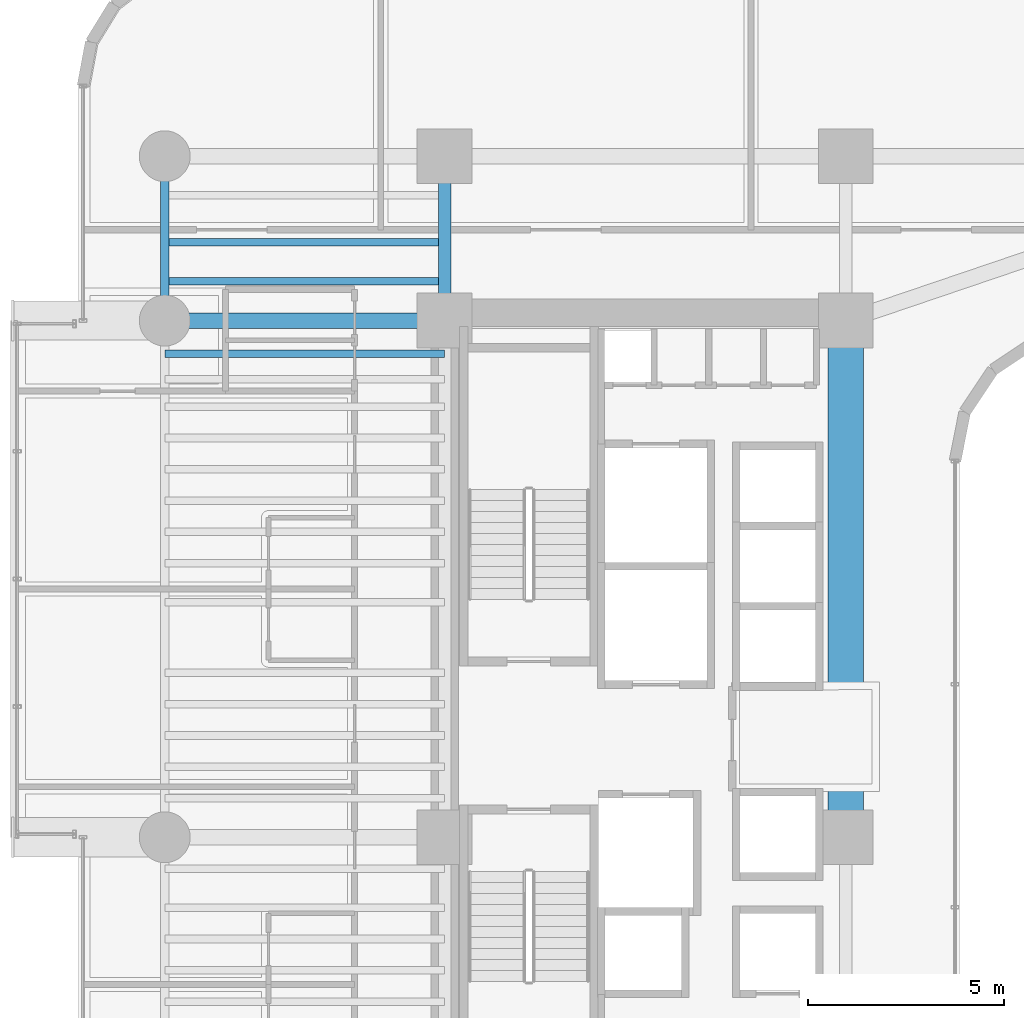
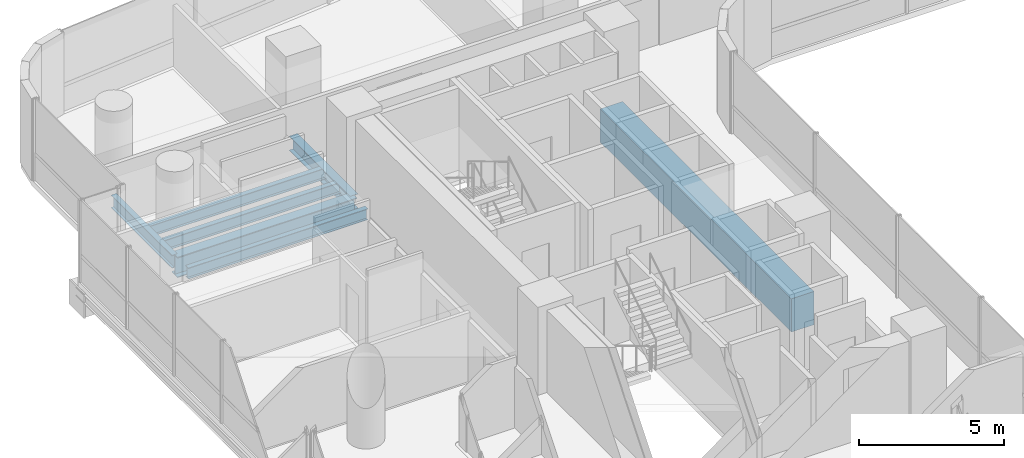
# One storey, part 9 of 39: 7 beams.
"""IFC4 building model written with IfcOpenShell, lengths in metres."""

import ifcopenshell
import ifcopenshell.guid

model = None  # the IFC model being written
_history = None  # IfcOwnerHistory: only IFC2X3 demands one
_inside = {}  # id of a spatial element -> (the spatial element, [elements in it])
_under = {}  # id of a project, library or spatial element -> (it, [spatial elements below it])
_declared = {}  # id of a project -> (the project, [libraries it declares])
_typed = {}  # id of a type object -> (the type object, [elements of that type])
_made_of = {}  # id of a material, layer set ... -> (it, [elements and type objects made of it])


def new_model(schema):
    """Start an empty IFC model of exactly this schema.

    Asked for "IFC4X3", IfcOpenShell would pick the latest addendum, in which some entities
    have other attributes; the version numbers below select the first issue.
    IFC2X3 requires an IfcOwnerHistory on every rooted entity: one is made here for all.
    """
    global model, _history
    if schema == "IFC4X3":
        model = ifcopenshell.file(schema_version=(4, 3, 0, 0))
    else:
        model = ifcopenshell.file(schema=schema)
    _inside.clear()
    _under.clear()
    _declared.clear()
    _typed.clear()
    _made_of.clear()
    _history = None
    if model.schema == "IFC2X3":
        org = make("IfcOrganization", Name="unknown")
        user = make(
            "IfcPersonAndOrganization",
            ThePerson=make("IfcPerson", FamilyName="unknown"),
            TheOrganization=org,
        )
        app = make(
            "IfcApplication",
            ApplicationDeveloper=org,
            Version="unknown",
            ApplicationFullName="unknown",
            ApplicationIdentifier="unknown",
        )
        _history = make(
            "IfcOwnerHistory",
            OwningUser=user,
            OwningApplication=app,
            ChangeAction="ADDED",
            CreationDate=0,
        )
    return model


def make(cls, **values):
    """One entity of the class cls with the attributes given. An attribute that is None is left unset."""
    return model.create_entity(
        cls, **{name: value for name, value in values.items() if value is not None}
    )


def rooted(cls, **values):
    """An entity with a GlobalId (a new one), such as an element, a storey or a relation."""
    return make(cls, GlobalId=ifcopenshell.guid.new(), OwnerHistory=_history, **values)


def si_unit(unit_type, name, prefix=None):
    """IfcSIUnit, for example si_unit("LENGTHUNIT", "METRE", prefix="MILLI")."""
    return make("IfcSIUnit", UnitType=unit_type, Prefix=prefix, Name=name)


def assignment(units):
    """IfcUnitAssignment: the units of a project."""
    return None if units is None else make("IfcUnitAssignment", Units=units)


def point(xyz):
    """IfcCartesianPoint."""
    return None if xyz is None else make("IfcCartesianPoint", Coordinates=xyz)


def direction(xyz):
    """IfcDirection."""
    return None if xyz is None else make("IfcDirection", DirectionRatios=xyz)


def frame(location, z_axis=None, x_axis=None):
    """IfcAxis2Placement3D, a coordinate frame: its origin and axes. An axis left out is left unset."""
    return make(
        "IfcAxis2Placement3D",
        Location=point(location),
        Axis=direction(z_axis),
        RefDirection=direction(x_axis),
    )


def frame_2d(location, x_axis=None):
    """IfcAxis2Placement2D, a coordinate frame in the plane: its origin and x axis."""
    return make(
        "IfcAxis2Placement2D", Location=point(location), RefDirection=direction(x_axis)
    )


def origin():
    """The frame at (0, 0, 0) with its axes left unset."""
    return frame((0.0, 0.0, 0.0))


def origin_2d():
    """The frame at (0, 0) in the plane with its x axis left unset."""
    return frame_2d((0.0, 0.0))


def place(relative_to, where):
    """IfcLocalPlacement: puts the frame where relative to a parent placement (None: the world)."""
    return make(
        "IfcLocalPlacement", PlacementRelTo=relative_to, RelativePlacement=where
    )


def context(
    kind, dimensions, precision=None, world=None, true_north=None, identifier=None
):
    """IfcGeometricRepresentationContext, for example the 3D "Model" context."""
    return make(
        "IfcGeometricRepresentationContext",
        ContextIdentifier=identifier,
        ContextType=kind,
        CoordinateSpaceDimension=dimensions,
        Precision=precision,
        WorldCoordinateSystem=world,
        TrueNorth=true_north,
    )


def subcontext(parent, identifier, kind, view, scale=None):
    """IfcGeometricRepresentationSubContext, for example "Body" below "Model"."""
    return make(
        "IfcGeometricRepresentationSubContext",
        ContextIdentifier=identifier,
        ContextType=kind,
        ParentContext=parent,
        TargetScale=scale,
        TargetView=view,
    )


def project(units=None, contexts=None):
    """IfcProject with its units and contexts."""
    return rooted(
        "IfcProject",
        Name="project",
        RepresentationContexts=contexts,
        UnitsInContext=assignment(units),
    )


def spatial(cls, under=None, at=None, **own):
    """A site, building, storey or space (cls), placed at a placement, below another one or the project."""
    s = rooted(cls, ObjectPlacement=at, **own)
    if under is not None:
        _under.setdefault(under.id(), (under, []))[1].append(s)
    return s


def profile(cls, at=None, kind="AREA", **sizes):
    """A parametric profile (cls). Its sizes go by their IFC names, for example OverallWidth=200.0."""
    return make(cls, ProfileType=kind, Position=at, **sizes)


def rectangle(**sizes):
    """IfcRectangleProfileDef."""
    return profile("IfcRectangleProfileDef", **sizes)


def i_section(**sizes):
    """IfcIShapeProfileDef."""
    return profile("IfcIShapeProfileDef", **sizes)


def extrude(swept, where, along, depth):
    """IfcExtrudedAreaSolid: the profile swept, set in the frame where, extruded along a direction by depth."""
    return make(
        "IfcExtrudedAreaSolid",
        SweptArea=swept,
        Position=where,
        ExtrudedDirection=direction(along),
        Depth=depth,
    )


def shape(context_of_items, identifier, shape_type, items):
    """IfcShapeRepresentation: the items that make up one representation, for example the "Body"."""
    return make(
        "IfcShapeRepresentation",
        ContextOfItems=context_of_items,
        RepresentationIdentifier=identifier,
        RepresentationType=shape_type,
        Items=items,
    )


def source(mapping_origin, context_of_items, identifier, shape_type, items):
    """IfcRepresentationMap: a shape defined once, which mapped items show again and again."""
    return make(
        "IfcRepresentationMap",
        MappingOrigin=mapping_origin,
        MappedRepresentation=shape(context_of_items, identifier, shape_type, items),
    )


def transform(
    local_origin,
    x_axis=None,
    y_axis=None,
    z_axis=None,
    scale=None,
    scale2=None,
    scale3=None,
    uniform=True,
):
    """IfcCartesianTransformationOperator3D, or its non-uniform kind. x_axis, y_axis, z_axis: its Axis1, 2, 3."""
    if uniform:
        return make(
            "IfcCartesianTransformationOperator3D",
            Axis1=direction(x_axis),
            Axis2=direction(y_axis),
            LocalOrigin=point(local_origin),
            Scale=scale,
            Axis3=direction(z_axis),
        )
    return make(
        "IfcCartesianTransformationOperator3DnonUniform",
        Axis1=direction(x_axis),
        Axis2=direction(y_axis),
        LocalOrigin=point(local_origin),
        Scale=scale,
        Axis3=direction(z_axis),
        Scale2=scale2,
        Scale3=scale3,
    )


def mapped(mapping_source, mapping_target):
    """IfcMappedItem: shows the shape of a source again, moved by a transform."""
    return make(
        "IfcMappedItem", MappingSource=mapping_source, MappingTarget=mapping_target
    )


def material(Name=None, Category=None):
    """IfcMaterial."""
    return make("IfcMaterial", Name=Name, Category=Category)


def material_profile(
    of_material, cross_section, Name=None, Category=None, Priority=None
):
    """IfcMaterialProfile: a cross section and its material."""
    return make(
        "IfcMaterialProfile",
        Name=Name,
        Material=of_material,
        Profile=cross_section,
        Priority=Priority,
        Category=Category,
    )


def profile_set(profiles, Name=None, composite=None):
    """IfcMaterialProfileSet."""
    return make(
        "IfcMaterialProfileSet",
        Name=Name,
        MaterialProfiles=profiles,
        CompositeProfile=composite,
    )


def made_of(thing, what):
    """Note that an element or type object is made of a material, layer set ...; save() writes the relation."""
    if what is not None:
        _made_of.setdefault(what.id(), (what, []))[1].append(thing)
    return thing


def type_object(cls, material=None, **own):
    """A type object (cls), such as IfcWallType, which elements share."""
    return made_of(rooted(cls, **own), material)


def element(
    cls,
    number,
    at=None,
    inside=None,
    cuts=None,
    type_object=None,
    material=None,
    context=None,
    identifier="Body",
    shape_type=None,
    held_by="IfcProductDefinitionShape",
    body=None,
    shapes=None,
    **own,
):
    """One element of the class cls, such as IfcWall. Its Tag is "e" and its number.

    at: its placement. inside: the storey or other place that contains it. cuts: it is an
    opening in that element (IfcRelVoidsElement). A single representation is given by context,
    identifier, shape_type and body (its items); several are given by shapes. held_by: the class
    of the entity that holds the representations. save() writes the other relations.
    """
    e = rooted(cls, Tag="e%d" % number, ObjectPlacement=at, **own)
    if body is not None:
        shapes = [shape(context, identifier, shape_type, body)]
    if shapes is not None:
        e.Representation = make(held_by, Representations=shapes)
    if inside is not None:
        _inside.setdefault(inside.id(), (inside, []))[1].append(e)
    if cuts is not None:
        rooted(
            "IfcRelVoidsElement", RelatingBuildingElement=cuts, RelatedOpeningElement=e
        )
    if type_object is not None:
        _typed.setdefault(type_object.id(), (type_object, []))[1].append(e)
    return made_of(e, material)


def aggregate(whole, parts):
    """IfcRelAggregates: a whole, such as a stair, and the parts it consists of."""
    return rooted("IfcRelAggregates", RelatingObject=whole, RelatedObjects=parts)


def save(model, path):
    """Write the relations noted so far, then the file.

    IfcRelAggregates (storeys below a building ...), IfcRelContainedInSpatialStructure (elements
    in a storey), IfcRelDefinesByType, IfcRelAssociatesMaterial and IfcRelDeclares: one each for
    every whole, place, type object, material and project.
    """
    for whole, parts in _under.values():
        aggregate(whole, parts)
    for where, things in _inside.values():
        rooted(
            "IfcRelContainedInSpatialStructure",
            RelatedElements=things,
            RelatingStructure=where,
        )
    for kind, things in _typed.values():
        rooted("IfcRelDefinesByType", RelatedObjects=things, RelatingType=kind)
    for what, things in _made_of.values():
        rooted("IfcRelAssociatesMaterial", RelatedObjects=things, RelatingMaterial=what)
    for by, libraries in _declared.values():
        rooted("IfcRelDeclares", RelatingContext=by, RelatedDefinitions=libraries)
    model.write(path)


model = new_model("IFC4")

# Units and contexts
model_context = context("Model", 3, precision=1e-05, world=origin(), true_north=direction((0.0, 1.0)))
body_context = subcontext(model_context, "Body", "Model", "MODEL_VIEW")
ifc_project = project(units=[si_unit("LENGTHUNIT", "METRE"), si_unit("AREAUNIT", "SQUARE_METRE"), si_unit("VOLUMEUNIT", "CUBIC_METRE"), si_unit("PLANEANGLEUNIT", "RADIAN"), si_unit("MASSUNIT", "GRAM", prefix="KILO")], contexts=[model_context])

# Site, building, storey
site_placement = place(None, origin())
site = spatial("IfcSite", under=ifc_project, at=site_placement, CompositionType="ELEMENT")
building_placement = place(site_placement, origin())
building = spatial("IfcBuilding", under=site, at=building_placement, Name="Valdorenza Pilgrim Sanctuary Tower", CompositionType="ELEMENT")
storey_placement = place(building_placement, frame((0.0, 0.0, 77.800048828125)))
storey = spatial("IfcBuildingStorey", under=building, at=storey_placement, Name="L19", CompositionType="ELEMENT", Elevation=77.800048828125)

# Beams
ifc_material_1 = material(Name="Concrete C60/75", Category="concrete")
ifc_material_profile_1 = material_profile(ifc_material_1, rectangle(XDim=0.89990234375, YDim=1.39990234375, at=origin_2d()), Name="RC 1400x900")
ifc_profile_set_1 = profile_set([ifc_material_profile_1], Name="Concrete C60/75")
beam_type_1 = type_object("IfcBeamType", Name="STR-BM-LNT-1400", PredefinedType="LINTEL", material=ifc_profile_set_1)
shared_shape_1 = source(origin(), body_context, "Body", "SweptSolid", [
    extrude(rectangle(XDim=0.89990234375, YDim=1.39990234375, at=origin_2d()), origin(), (0.0, 0.0, 1.0), 13.2001953125),
])
beam_1_placement = place(storey_placement, frame((-12.39990234375, -2.60009765625, -0.739990234375), z_axis=(0.0, 1.0, 0.0), x_axis=(-1.0, 0.0, 0.0)))
element("IfcBeam", 1, at=beam_1_placement, inside=storey, type_object=beam_type_1, Name="L19 Core A Coupling Lintel Girder", PredefinedType="LINTEL", context=body_context, shape_type="MappedRepresentation", body=[
    mapped(shared_shape_1, transform((0.0, 0.0, 0.0), x_axis=(1.0, 0.0, 0.0), y_axis=(0.0, 1.0, 0.0), z_axis=(0.0, 0.0, 1.0), scale=1.0)),
])
ifc_material_2 = material(Name="Steel ASTM A992 Grade 50", Category="steel")
ifc_material_profile_2 = material_profile(ifc_material_2, i_section(OverallWidth=0.214111328125, OverallDepth=0.549072265625, WebThickness=0.0146484375, FlangeThickness=0.023681640625, at=origin_2d()), Name="W21X93")
ifc_profile_set_2 = profile_set([ifc_material_profile_2], Name="Steel ASTM A992 Grade 50")
beam_type_2 = type_object("IfcBeamType", Name="STR-BM-SPN-W21A", PredefinedType="SPANDREL", material=ifc_profile_set_2)
shared_shape_2 = source(origin(), body_context, "Body", "SweptSolid", [
    extrude(i_section(OverallWidth=0.214111328125, OverallDepth=0.549072265625, WebThickness=0.0146484375, FlangeThickness=0.023681640625, at=origin_2d()), origin(), (0.0, 0.0, 1.0), 4.199951171875),
])
beam_2_placement = place(storey_placement, frame((-29.800048828125, 10.60009765625, -0.5146484375), z_axis=(0.0, 1.0, 0.0), x_axis=(-1.0, 0.0, 0.0)))
element("IfcBeam", 2, at=beam_2_placement, inside=storey, type_object=beam_type_2, Name="L19 Spandrel Beam WA-W-N1N2", PredefinedType="SPANDREL", context=body_context, shape_type="MappedRepresentation", body=[
    mapped(shared_shape_2, transform((0.0, 0.0, 0.0), x_axis=(1.0, 0.0, 0.0), y_axis=(0.0, 1.0, 0.0), z_axis=(0.0, 0.0, 1.0), scale=1.0)),
])
ifc_material_profile_3 = material_profile(ifc_material_2, i_section(OverallWidth=0.323974609375, OverallDepth=0.611083984375, WebThickness=0.0126953125, FlangeThickness=0.01904296875, at=origin_2d()), Name="W24X104")
ifc_profile_set_3 = profile_set([ifc_material_profile_3], Name="Steel ASTM A992 Grade 50")
beam_type_3 = type_object("IfcBeamType", Name="STR-BM-GRD-W24B", PredefinedType="BEAM", material=ifc_profile_set_3)
shared_shape_3 = source(origin(), body_context, "Body", "SweptSolid", [
    extrude(i_section(OverallWidth=0.323974609375, OverallDepth=0.611083984375, WebThickness=0.0126953125, FlangeThickness=0.01904296875, at=origin_2d()), origin(), (0.0, 0.0, 1.0), 4.199951171875),
])
beam_3_placement = place(storey_placement, frame((-22.64990234375, 10.60009765625, -0.545654296875), z_axis=(0.0, 1.0, 0.0), x_axis=(-1.0, 0.0, 0.0)))
element("IfcBeam", 3, at=beam_3_placement, inside=storey, type_object=beam_type_3, Name="L19 Core Tie Girder CA-W-N1N2", PredefinedType="BEAM", context=body_context, shape_type="MappedRepresentation", body=[
    mapped(shared_shape_3, transform((0.0, 0.0, 0.0), x_axis=(1.0, 0.0, 0.0), y_axis=(0.0, 1.0, 0.0), z_axis=(0.0, 0.0, 1.0), scale=1.0)),
])
ifc_material_profile_4 = material_profile(ifc_material_2, i_section(OverallWidth=0.193115234375, OverallDepth=0.466064453125, WebThickness=0.011474609375, FlangeThickness=0.01904296875, at=origin_2d()), Name="W18X65")
ifc_profile_set_4 = profile_set([ifc_material_profile_4], Name="Steel ASTM A992 Grade 50")
beam_type_4 = type_object("IfcBeamType", Name="STR-BM-JST-W18A", PredefinedType="JOIST", material=ifc_profile_set_4)
shared_shape_4 = source(origin(), body_context, "Body", "SweptSolid", [
    extrude(i_section(OverallWidth=0.193115234375, OverallDepth=0.466064453125, WebThickness=0.011474609375, FlangeThickness=0.01904296875, at=origin_2d()), origin(), (0.0, 0.0, 1.0), 7.150146484375),
])
for number, where, z_axis, x_axis, name in (
    (4, (-29.800048828125, 9.75, -0.47314453125), (1.0, 0.0, 0.0), (0.0, 1.0, 0.0), "L19 Composite Floor Joist JST-WA-23"),
    (5, (-29.800048828125, 11.60009765625, -0.47314453125), (1.0, 0.0, 0.0), (0.0, 1.0, 0.0), "L19 Composite Floor Joist JST-WA-24"),
    (6, (-29.800048828125, 12.60009765625, -0.47314453125), (1.0, 0.0, 0.0), (0.0, 1.0, 0.0), "L19 Composite Floor Joist JST-WA-25"),
):
    element("IfcBeam", number, at=place(storey_placement, frame(where, z_axis=z_axis, x_axis=x_axis)), inside=storey, type_object=beam_type_4, Name=name, PredefinedType="JOIST", context=body_context, shape_type="MappedRepresentation", body=[
        mapped(shared_shape_4, transform((0.0, 0.0, 0.0), x_axis=(1.0, 0.0, 0.0), y_axis=(0.0, 1.0, 0.0), z_axis=(0.0, 0.0, 1.0), scale=1.0)),
    ])
ifc_material_profile_5 = material_profile(ifc_material_2, i_section(OverallWidth=0.39990234375, OverallDepth=0.862060546875, WebThickness=0.019775390625, FlangeThickness=0.032470703125, at=origin_2d()), Name="W33X221")
ifc_profile_set_5 = profile_set([ifc_material_profile_5], Name="Steel ASTM A992 Grade 50")
beam_type_5 = type_object("IfcBeamType", Name="STR-BM-GRD-W33", PredefinedType="BEAM", material=ifc_profile_set_5)
shared_shape_5 = source(origin(), body_context, "Body", "SweptSolid", [
    extrude(i_section(OverallWidth=0.39990234375, OverallDepth=0.862060546875, WebThickness=0.019775390625, FlangeThickness=0.032470703125, at=origin_2d()), origin(), (0.0, 0.0, 1.0), 7.150146484375),
])
beam_4_placement = place(storey_placement, frame((-29.800048828125, 10.60009765625, -0.671142578125), z_axis=(1.0, 0.0, 0.0), x_axis=(0.0, 1.0, 0.0)))
element("IfcBeam", 7, at=beam_4_placement, inside=storey, type_object=beam_type_5, Name="L19 Floor Girder WA-XW-N1", PredefinedType="BEAM", context=body_context, shape_type="MappedRepresentation", body=[
    mapped(shared_shape_5, transform((0.0, 0.0, 0.0), x_axis=(1.0, 0.0, 0.0), y_axis=(0.0, 1.0, 0.0), z_axis=(0.0, 0.0, 1.0), scale=1.0)),
])

save(model, "model.ifc")
